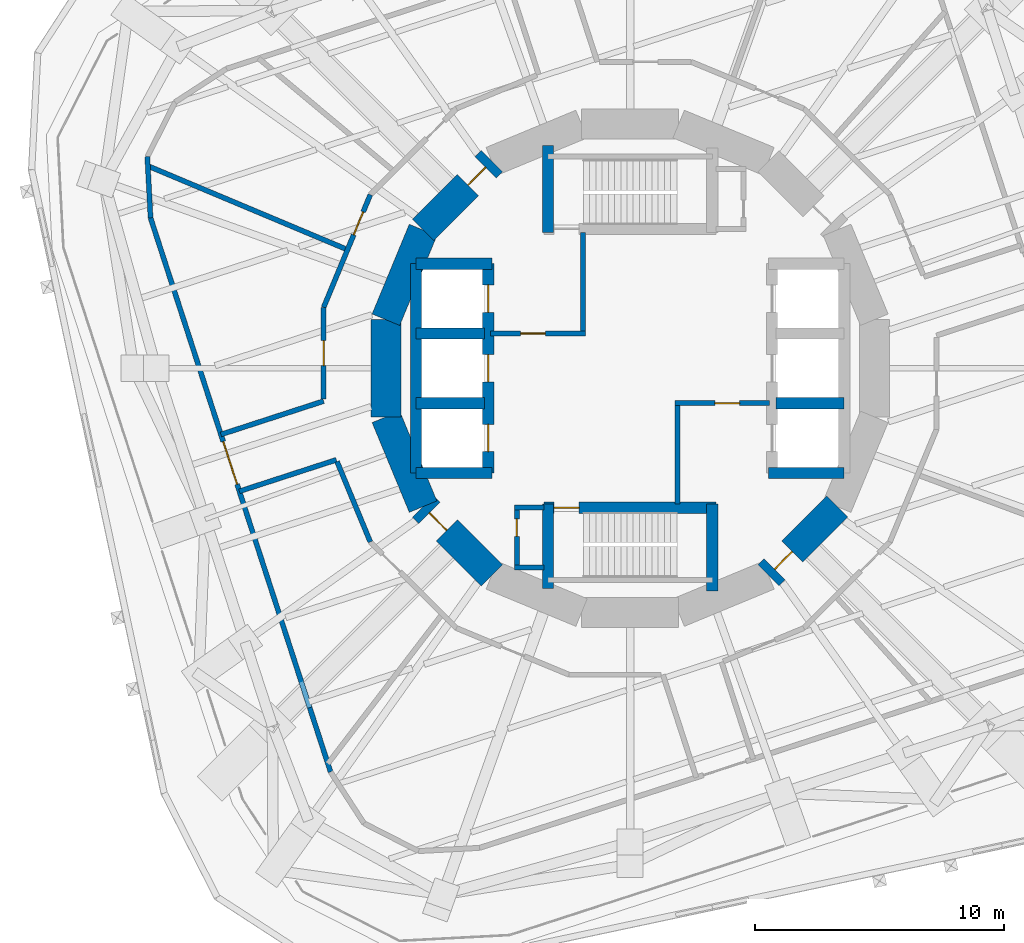
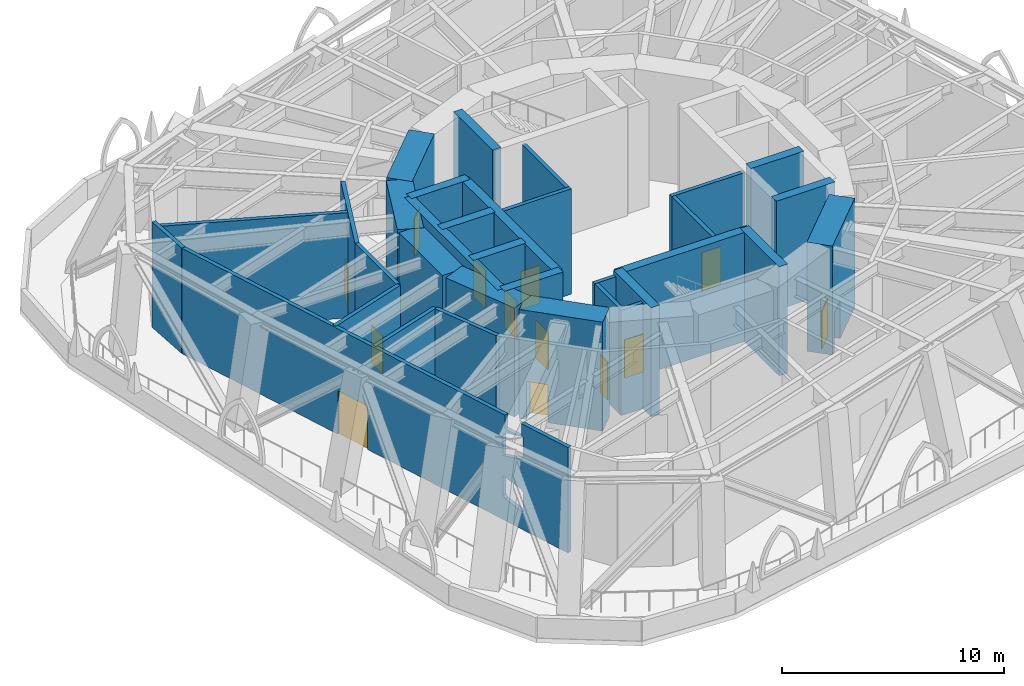
# One storey, part 5 of 11: 33 walls, 13 doors, 16 openings.
"""IFC4 building model written with IfcOpenShell, lengths in metres."""

from ifc_helpers import new_model, si_unit, direction, frame, frame_2d, origin, place, context, subcontext, project, spatial, polyline, rectangle, outline, extrude, material, layer, layer_set, type_object, element, fill, save


model = new_model("IFC4")

# Units and contexts
model_context = context("Model", 3, precision=1e-05, world=origin(), true_north=direction((0.0, 1.0)))
body_context = subcontext(model_context, "Body", "Model", "MODEL_VIEW")
ifc_project = project(units=[si_unit("LENGTHUNIT", "METRE"), si_unit("AREAUNIT", "SQUARE_METRE"), si_unit("VOLUMEUNIT", "CUBIC_METRE"), si_unit("PLANEANGLEUNIT", "RADIAN"), si_unit("MASSUNIT", "GRAM", prefix="KILO")], contexts=[model_context])

# Site, building, storey
site_placement = place(None, origin())
site = spatial("IfcSite", under=ifc_project, at=site_placement, CompositionType="ELEMENT")
building_placement = place(site_placement, origin())
building = spatial("IfcBuilding", under=site, at=building_placement, Name="Nakasero Lantern House", CompositionType="ELEMENT")
storey_placement = place(building_placement, frame((0.0, 0.0, 135.800048828125)))
storey = spatial("IfcBuildingStorey", under=building, at=storey_placement, Name="L33", CompositionType="ELEMENT", Elevation=135.800048828125)

# Wall, openings, doors
ifc_material_1 = material(Name="Concrete C50/60", Category="concrete")
ifc_layer_1 = layer(ifc_material_1, 0.449951171875)
ifc_layer_set_1 = layer_set([ifc_layer_1], Name="Core inner wall 450")
wall_type_1 = type_object("IfcWallType", Name="Core inner wall 450", PredefinedType="SHEAR", material=ifc_layer_set_1)
wall_1_placement = place(storey_placement, frame((-5.699951171875, -4.199951171875, 0.0), z_axis=(0.0, 0.0, 1.0), x_axis=(0.0, 1.0, 0.0)))
wall_1 = element("IfcWall", 1, at=wall_1_placement, inside=storey, type_object=wall_type_1, Name="Core inner wall L33 LW", PredefinedType="SHEAR", context=body_context, shape_type="SweptSolid", body=[
    extrude(rectangle(XDim=8.39990234375, YDim=0.449951171875, at=frame_2d((4.199951171875, 0.0))), origin(), (0.0, 0.0, 1.0), 6.0),
])
opening_1_placement = place(wall_1_placement, frame((0.85009765625, 0.0, 0.0)))
opening_1 = element("IfcOpeningElement", 2, at=opening_1_placement, cuts=wall_1, Name="Opening LD", PredefinedType="OPENING", context=body_context, shape_type="SweptSolid", body=[
    extrude(rectangle(XDim=1.10009765625, YDim=2.10009765625, at=frame_2d((0.550048828125, 1.050048828125))), frame((0.0, 0.244873046875, 0.0), z_axis=(0.0, -1.0, 0.0), x_axis=(1.0, 0.0, 0.0)), (0.0, 0.0, 1.0), 0.489990234375),
])
opening_2_placement = place(wall_1_placement, frame((3.64990234375, 0.0, 0.0)))
opening_2 = element("IfcOpeningElement", 3, at=opening_2_placement, cuts=wall_1, Name="Opening LD", PredefinedType="OPENING", context=body_context, shape_type="SweptSolid", body=[
    extrude(rectangle(XDim=1.10009765625, YDim=2.10009765625, at=frame_2d((0.550048828125, 1.050048828125))), frame((0.0, 0.244873046875, 0.0), z_axis=(0.0, -1.0, 0.0), x_axis=(1.0, 0.0, 0.0)), (0.0, 0.0, 1.0), 0.489990234375),
])
opening_3_placement = place(wall_1_placement, frame((6.449951171875, 0.0, 0.0)))
opening_3 = element("IfcOpeningElement", 4, at=opening_3_placement, cuts=wall_1, Name="Opening LD", PredefinedType="OPENING", context=body_context, shape_type="SweptSolid", body=[
    extrude(rectangle(XDim=1.10009765625, YDim=2.10009765625, at=frame_2d((0.550048828125, 1.050048828125))), frame((0.0, 0.244873046875, 0.0), z_axis=(0.0, -1.0, 0.0), x_axis=(1.0, 0.0, 0.0)), (0.0, 0.0, 1.0), 0.489990234375),
])
ifc_material_2 = material(Name="Steel S355", Category="steel")
door_type_1 = type_object("IfcDoorType", Name="Lift landing door E120 1100", OperationType="SLIDING_TO_LEFT", PredefinedType="DOOR", material=ifc_material_2)
door_1_placement = place(opening_1_placement, origin())
door_1 = element("IfcDoor", 5, at=door_1_placement, inside=storey, type_object=door_type_1, Name="Lift landing door LW1", OperationType="SLIDING_TO_LEFT", OverallHeight=2.10009765625, OverallWidth=1.10009765625, PredefinedType="DOOR", context=body_context, shape_type="SweptSolid", body=[
    extrude(rectangle(XDim=1.10009765625, YDim=2.10009765625, at=frame_2d((0.550048828125, 1.050048828125))), frame((0.0, 0.02490234375, 0.0), z_axis=(0.0, -1.0, 0.0), x_axis=(1.0, 0.0, 0.0)), (0.0, 0.0, 1.0), 0.050048828125),
])
fill(opening_1, door_1)
door_2_placement = place(opening_2_placement, origin())
door_2 = element("IfcDoor", 6, at=door_2_placement, inside=storey, type_object=door_type_1, Name="Lift landing door LW2", OperationType="SLIDING_TO_LEFT", OverallHeight=2.10009765625, OverallWidth=1.10009765625, PredefinedType="DOOR", context=body_context, shape_type="SweptSolid", body=[
    extrude(rectangle(XDim=1.10009765625, YDim=2.10009765625, at=frame_2d((0.550048828125, 1.050048828125))), frame((0.0, 0.02490234375, 0.0), z_axis=(0.0, -1.0, 0.0), x_axis=(1.0, 0.0, 0.0)), (0.0, 0.0, 1.0), 0.050048828125),
])
fill(opening_2, door_2)
door_3_placement = place(opening_3_placement, origin())
door_3 = element("IfcDoor", 7, at=door_3_placement, inside=storey, type_object=door_type_1, Name="Lift landing door LW3", OperationType="SLIDING_TO_LEFT", OverallHeight=2.10009765625, OverallWidth=1.10009765625, PredefinedType="DOOR", context=body_context, shape_type="SweptSolid", body=[
    extrude(rectangle(XDim=1.10009765625, YDim=2.10009765625, at=frame_2d((0.550048828125, 1.050048828125))), frame((0.0, 0.02490234375, 0.0), z_axis=(0.0, -1.0, 0.0), x_axis=(1.0, 0.0, 0.0)), (0.0, 0.0, 1.0), 0.050048828125),
])
fill(opening_3, door_3)

# Walls
for number, where, z_axis, x_axis, name in (
    (8, (-8.60009765625, 4.199951171875, 0.0), (0.0, 0.0, 1.0), (1.0, 0.0, 0.0), "Core inner wall L33 LWN"),
    (9, (-8.60009765625, -4.199951171875, 0.0), (0.0, 0.0, 1.0), (1.0, 0.0, 0.0), "Core inner wall L33 LWS"),
    (10, (5.550048828125, -4.199951171875, 0.0), (0.0, 0.0, 1.0), (1.0, 0.0, 0.0), "Core inner wall L33 LES"),
):
    element("IfcWall", number, at=place(storey_placement, frame(where, z_axis=z_axis, x_axis=x_axis)), inside=storey, type_object=wall_type_1, Name=name, PredefinedType="SHEAR", context=body_context, shape_type="SweptSolid", body=[
        extrude(rectangle(XDim=3.050048828125, YDim=0.449951171875, at=frame_2d((1.52490234375, 0.0))), origin(), (0.0, 0.0, 1.0), 6.0),
    ])
wall_2_placement = place(storey_placement, frame((-8.60009765625, -4.199951171875, 0.0), z_axis=(0.0, 0.0, 1.0), x_axis=(0.0, 1.0, 0.0)))
element("IfcWall", 11, at=wall_2_placement, inside=storey, type_object=wall_type_1, Name="Core inner wall L33 LWB", PredefinedType="SHEAR", context=body_context, shape_type="SweptSolid", body=[
    extrude(rectangle(XDim=8.39990234375, YDim=0.449951171875, at=frame_2d((4.199951171875, 0.0))), origin(), (0.0, 0.0, 1.0), 6.0),
])
for number, where, z_axis, x_axis, name in (
    (12, (-8.60009765625, -1.39990234375, 0.0), (0.0, 0.0, 1.0), (1.0, 0.0, 0.0), "Core inner wall L33 LW1"),
    (13, (-8.60009765625, 1.39990234375, 0.0), (0.0, 0.0, 1.0), (1.0, 0.0, 0.0), "Core inner wall L33 LW2"),
    (14, (5.85009765625, -1.39990234375, 0.0), (0.0, 0.0, 1.0), (1.0, 0.0, 0.0), "Core inner wall L33 LE1"),
):
    element("IfcWall", number, at=place(storey_placement, frame(where, z_axis=z_axis, x_axis=x_axis)), inside=storey, type_object=wall_type_1, Name=name, PredefinedType="SHEAR", context=body_context, shape_type="SweptSolid", body=[
        extrude(rectangle(XDim=2.75, YDim=0.449951171875, at=frame_2d((1.375, 0.0))), origin(), (0.0, 0.0, 1.0), 6.0),
    ])
wall_3_placement = place(storey_placement, frame((-3.300048828125, 5.449951171875, 0.0), z_axis=(0.0, 0.0, 1.0), x_axis=(0.0, 1.0, 0.0)))
element("IfcWall", 15, at=wall_3_placement, inside=storey, type_object=wall_type_1, Name="Core inner wall L33 SNW", PredefinedType="SHEAR", context=body_context, shape_type="SweptSolid", body=[
    extrude(rectangle(XDim=3.5, YDim=0.449951171875, at=frame_2d((1.75, 0.0))), origin(), (0.0, 0.0, 1.0), 6.0),
])

# Wall, opening, door
wall_4_placement = place(storey_placement, frame((-3.449951171875, -5.60009765625, 0.0), z_axis=(0.0, 0.0, 1.0), x_axis=(1.0, 0.0, 0.0)))
wall_4 = element("IfcWall", 16, at=wall_4_placement, inside=storey, type_object=wall_type_1, Name="Core inner wall L33 SS", PredefinedType="SHEAR", context=body_context, shape_type="SweptSolid", body=[
    extrude(rectangle(XDim=6.89990234375, YDim=0.449951171875, at=frame_2d((3.449951171875, 0.0))), origin(), (0.0, 0.0, 1.0), 6.0),
])
opening_4_placement = place(wall_4_placement, frame((0.39990234375, 0.0, 0.0)))
opening_4 = element("IfcOpeningElement", 17, at=opening_4_placement, cuts=wall_4, Name="Opening D05", PredefinedType="OPENING", context=body_context, shape_type="SweptSolid", body=[
    extrude(rectangle(XDim=1.0, YDim=2.10009765625, at=frame_2d((0.5, 1.050048828125))), frame((0.0, 0.244873046875, 0.0), z_axis=(0.0, -1.0, 0.0), x_axis=(1.0, 0.0, 0.0)), (0.0, 0.0, 1.0), 0.489990234375),
])
ifc_material_3 = material(Name="Timber C24", Category="wood")
door_type_2 = type_object("IfcDoorType", Name="Core door FD60S 1000", OperationType="SINGLE_SWING_LEFT", PredefinedType="DOOR", material=ifc_material_3)
door_4_placement = place(opening_4_placement, origin())
door_4 = element("IfcDoor", 18, at=door_4_placement, inside=storey, type_object=door_type_2, Name="Door L33 D-ST2", OperationType="SINGLE_SWING_LEFT", OverallHeight=2.10009765625, OverallWidth=1.0, PredefinedType="DOOR", context=body_context, shape_type="SweptSolid", body=[
    extrude(rectangle(XDim=1.0, YDim=2.10009765625, at=frame_2d((0.5, 1.050048828125))), frame((0.0, 0.02490234375, 0.0), z_axis=(0.0, -1.0, 0.0), x_axis=(1.0, 0.0, 0.0)), (0.0, 0.0, 1.0), 0.050048828125),
])
fill(opening_4, door_4)

# Walls
wall_5_placement = place(storey_placement, frame((-3.300048828125, -5.449951171875, 0.0), z_axis=(0.0, 0.0, 1.0), x_axis=(0.0, -1.0, 0.0)))
element("IfcWall", 19, at=wall_5_placement, inside=storey, type_object=wall_type_1, Name="Core inner wall L33 SSW", PredefinedType="SHEAR", context=body_context, shape_type="SweptSolid", body=[
    extrude(rectangle(XDim=3.400146484375, YDim=0.449951171875, at=frame_2d((1.7001953125, 0.0))), origin(), (0.0, 0.0, 1.0), 6.0),
])
wall_6_placement = place(storey_placement, frame((3.300048828125, -5.449951171875, 0.0), z_axis=(0.0, 0.0, 1.0), x_axis=(0.0, -1.0, 0.0)))
element("IfcWall", 20, at=wall_6_placement, inside=storey, type_object=wall_type_1, Name="Core inner wall L33 SSE", PredefinedType="SHEAR", context=body_context, shape_type="SweptSolid", body=[
    extrude(rectangle(XDim=3.5, YDim=0.449951171875, at=frame_2d((1.75, 0.0))), origin(), (0.0, 0.0, 1.0), 6.0),
])

# Wall, opening, door
ifc_material_4 = material(Name="Concrete C50/60", Category="concrete")
ifc_layer_2 = layer(ifc_material_4, 1.199951171875)
ifc_layer_set_2 = layer_set([ifc_layer_2], Name="Core wall 1200")
wall_type_2 = type_object("IfcWallType", Name="Core wall 1200", PredefinedType="SHEAR", material=ifc_layer_set_2)
wall_7_placement = place(storey_placement, frame((-5.5556640625, 8.314697265625, 0.0), z_axis=(0.0, 0.0, 1.0), x_axis=(-0.707106781187, -0.707106781187, 0.0)))
wall_7 = element("IfcWall", 21, at=wall_7_placement, inside=storey, type_object=wall_type_2, Name="Core wall L33 facet 6", PredefinedType="SHEAR", context=body_context, shape_type="SweptSolid", body=[
    extrude(rectangle(XDim=3.90185546875, YDim=1.199951171875, at=frame_2d((1.950927734375, 0.0))), origin(), (0.0, 0.0, 1.0), 6.0),
])
opening_5_placement = place(wall_7_placement, frame((0.35009765625, 0.0, 0.0)))
opening_5 = element("IfcOpeningElement", 22, at=opening_5_placement, cuts=wall_7, Name="Opening D05", PredefinedType="OPENING", context=body_context, shape_type="SweptSolid", body=[
    extrude(rectangle(XDim=1.0, YDim=2.10009765625, at=frame_2d((0.5, 1.050048828125))), frame((0.0, 0.619873046875, 0.0), z_axis=(0.0, -1.0, 0.0), x_axis=(1.0, 0.0, 0.0)), (0.0, 0.0, 1.0), 1.239990234375),
])
door_5_placement = place(opening_5_placement, origin())
door_5 = element("IfcDoor", 23, at=door_5_placement, inside=storey, type_object=door_type_2, Name="Door L33 D-CORE06", OperationType="SINGLE_SWING_LEFT", OverallHeight=2.10009765625, OverallWidth=1.0, PredefinedType="DOOR", context=body_context, shape_type="SweptSolid", body=[
    extrude(rectangle(XDim=1.0, YDim=2.10009765625, at=frame_2d((0.5, 1.050048828125))), frame((0.0, 0.02490234375, 0.0), z_axis=(0.0, -1.0, 0.0), x_axis=(1.0, 0.0, 0.0)), (0.0, 0.0, 1.0), 0.050048828125),
])
fill(opening_5, door_5)

# Walls
for number, where, z_axis, x_axis, name in (
    (24, (-8.314697265625, 5.5556640625, 0.0), (0.0, 0.0, 1.0), (-0.382690736062, -0.923876507187, 0.0), "Core wall L33 facet 7"),
    (25, (-9.807861328125, 1.950927734375, 0.0), (0.0, 0.0, 1.0), (0.0, -1.0, 0.0), "Core wall L33 facet 8"),
    (26, (-9.807861328125, -1.950927734375, 0.0), (0.0, 0.0, 1.0), (0.382690736062, -0.923876507187, 0.0), "Core wall L33 facet 9"),
):
    element("IfcWall", number, at=place(storey_placement, frame(where, z_axis=z_axis, x_axis=x_axis)), inside=storey, type_object=wall_type_2, Name=name, PredefinedType="SHEAR", context=body_context, shape_type="SweptSolid", body=[
        extrude(rectangle(XDim=3.90185546875, YDim=1.199951171875, at=frame_2d((1.950927734375, 0.0))), origin(), (0.0, 0.0, 1.0), 6.0),
    ])

# Wall, opening, door
wall_8_placement = place(storey_placement, frame((-8.314697265625, -5.5556640625, 0.0), z_axis=(0.0, 0.0, 1.0), x_axis=(0.707106781187, -0.707106781187, 0.0)))
wall_8 = element("IfcWall", 27, at=wall_8_placement, inside=storey, type_object=wall_type_2, Name="Core wall L33 facet 10", PredefinedType="SHEAR", context=body_context, shape_type="SweptSolid", body=[
    extrude(rectangle(XDim=3.90185546875, YDim=1.199951171875, at=frame_2d((1.950927734375, 0.0))), origin(), (0.0, 0.0, 1.0), 6.0),
])
opening_6_placement = place(wall_8_placement, frame((0.35009765625, 0.0, 0.0)))
opening_6 = element("IfcOpeningElement", 28, at=opening_6_placement, cuts=wall_8, Name="Opening D05", PredefinedType="OPENING", context=body_context, shape_type="SweptSolid", body=[
    extrude(rectangle(XDim=1.0, YDim=2.10009765625, at=frame_2d((0.5, 1.050048828125))), frame((0.0, 0.619873046875, 0.0), z_axis=(0.0, -1.0, 0.0), x_axis=(1.0, 0.0, 0.0)), (0.0, 0.0, 1.0), 1.239990234375),
])
door_6_placement = place(opening_6_placement, origin())
door_6 = element("IfcDoor", 29, at=door_6_placement, inside=storey, type_object=door_type_2, Name="Door L33 D-CORE10", OperationType="SINGLE_SWING_LEFT", OverallHeight=2.10009765625, OverallWidth=1.0, PredefinedType="DOOR", context=body_context, shape_type="SweptSolid", body=[
    extrude(rectangle(XDim=1.0, YDim=2.10009765625, at=frame_2d((0.5, 1.050048828125))), frame((0.0, 0.02490234375, 0.0), z_axis=(0.0, -1.0, 0.0), x_axis=(1.0, 0.0, 0.0)), (0.0, 0.0, 1.0), 0.050048828125),
])
fill(opening_6, door_6)

wall_9_placement = place(storey_placement, frame((5.5556640625, -8.314697265625, 0.0), z_axis=(0.0, 0.0, 1.0), x_axis=(0.707106781187, 0.707106781187, 0.0)))
wall_9 = element("IfcWall", 30, at=wall_9_placement, inside=storey, type_object=wall_type_2, Name="Core wall L33 facet 14", PredefinedType="SHEAR", context=body_context, shape_type="SweptSolid", body=[
    extrude(rectangle(XDim=3.90185546875, YDim=1.199951171875, at=frame_2d((1.950927734375, 0.0))), origin(), (0.0, 0.0, 1.0), 6.0),
])
opening_7_placement = place(wall_9_placement, frame((0.35009765625, 0.0, 0.0)))
opening_7 = element("IfcOpeningElement", 31, at=opening_7_placement, cuts=wall_9, Name="Opening D05", PredefinedType="OPENING", context=body_context, shape_type="SweptSolid", body=[
    extrude(rectangle(XDim=1.0, YDim=2.10009765625, at=frame_2d((0.5, 1.050048828125))), frame((0.0, 0.619873046875, 0.0), z_axis=(0.0, -1.0, 0.0), x_axis=(1.0, 0.0, 0.0)), (0.0, 0.0, 1.0), 1.239990234375),
])
door_7_placement = place(opening_7_placement, origin())
door_7 = element("IfcDoor", 32, at=door_7_placement, inside=storey, type_object=door_type_2, Name="Door L33 D-CORE14", OperationType="SINGLE_SWING_LEFT", OverallHeight=2.10009765625, OverallWidth=1.0, PredefinedType="DOOR", context=body_context, shape_type="SweptSolid", body=[
    extrude(rectangle(XDim=1.0, YDim=2.10009765625, at=frame_2d((0.5, 1.050048828125))), frame((0.0, 0.02490234375, 0.0), z_axis=(0.0, -1.0, 0.0), x_axis=(1.0, 0.0, 0.0)), (0.0, 0.0, 1.0), 0.050048828125),
])
fill(opening_7, door_7)

# Wall
ifc_material_5 = material(Name="Blockwork", Category="masonry")
ifc_layer_3 = layer(ifc_material_5, 0.199951171875)
ifc_layer_set_3 = layer_set([ifc_layer_3], Name="Corridor wall 200")
wall_type_3 = type_object("IfcWallType", Name="Corridor wall 200", PredefinedType="PARTITIONING", material=ifc_layer_set_3)
wall_10_placement = place(storey_placement, frame((-10.43408203125, -6.971923828125, 0.0), z_axis=(0.0, 0.0, 1.0), x_axis=(-0.382693443853, 0.923875385554, 0.0)))
element("IfcWall", 33, at=wall_10_placement, inside=storey, type_object=wall_type_3, Name="Corridor wall L33 TC07", PredefinedType="PARTITIONING", context=body_context, shape_type="SweptSolid", body=[
    extrude(rectangle(XDim=3.4921875, YDim=0.199951171875, at=frame_2d((1.74609375, 0.0))), origin(), (0.0, 0.0, 1.0), 5.800048828125),
])

# Wall, opening, door
wall_11_placement = place(storey_placement, frame((-12.307861328125, -1.239013671875, 0.0), z_axis=(0.0, 0.0, 1.0), x_axis=(0.0, 1.0, 0.0)))
wall_11 = element("IfcWall", 34, at=wall_11_placement, inside=storey, type_object=wall_type_3, Name="Corridor wall L33 TC08", PredefinedType="PARTITIONING", context=body_context, shape_type="SweptSolid", body=[
    extrude(rectangle(XDim=3.687255859375, YDim=0.199951171875, at=frame_2d((1.84375, 0.0))), origin(), (0.0, 0.0, 1.0), 5.800048828125),
])
opening_8_placement = place(wall_11_placement, frame((1.35009765625, 0.0, 0.0)))
opening_8 = element("IfcOpeningElement", 35, at=opening_8_placement, cuts=wall_11, Name="Opening D13", PredefinedType="OPENING", context=body_context, shape_type="SweptSolid", body=[
    extrude(rectangle(XDim=1.0, YDim=2.10009765625, at=frame_2d((0.5, 1.050048828125))), frame((0.0, 0.119873046875, 0.0), z_axis=(0.0, -1.0, 0.0), x_axis=(1.0, 0.0, 0.0)), (0.0, 0.0, 1.0), 0.239990234375),
])
ifc_material_6 = material(Name="Steel S355", Category="steel")
door_type_3 = type_object("IfcDoorType", Name="Plant room door FD60 1000", OperationType="SINGLE_SWING_LEFT", PredefinedType="DOOR", material=ifc_material_6)
door_8_placement = place(opening_8_placement, origin())
door_8 = element("IfcDoor", 36, at=door_8_placement, inside=storey, type_object=door_type_3, Name="Door L33 TDR12", OperationType="SINGLE_SWING_RIGHT", OverallHeight=2.10009765625, OverallWidth=1.0, PredefinedType="DOOR", context=body_context, shape_type="SweptSolid", body=[
    extrude(rectangle(XDim=1.0, YDim=2.10009765625, at=frame_2d((0.5, 1.050048828125))), frame((0.0, 0.02490234375, 0.0), z_axis=(0.0, -1.0, 0.0), x_axis=(1.0, 0.0, 0.0)), (0.0, 0.0, 1.0), 0.050048828125),
])
fill(opening_8, door_8)

wall_12_placement = place(storey_placement, frame((-12.307861328125, 2.4482421875, 0.0), z_axis=(0.0, 0.0, 1.0), x_axis=(0.382685002919, 0.923878881965, 0.0)))
wall_12 = element("IfcWall", 37, at=wall_12_placement, inside=storey, type_object=wall_type_3, Name="Corridor wall L33 TC09", PredefinedType="PARTITIONING", context=body_context, shape_type="SweptSolid", body=[
    extrude(rectangle(XDim=4.896484375, YDim=0.199951171875, at=frame_2d((2.4482421875, 0.0))), origin(), (0.0, 0.0, 1.0), 5.800048828125),
])
opening_9_placement = place(wall_12_placement, frame((3.14990234375, 0.0, 0.0)))
opening_9 = element("IfcOpeningElement", 38, at=opening_9_placement, cuts=wall_12, Name="Opening D13", PredefinedType="OPENING", context=body_context, shape_type="SweptSolid", body=[
    extrude(rectangle(XDim=1.0, YDim=2.10009765625, at=frame_2d((0.5, 1.050048828125))), frame((0.0, 0.119873046875, 0.0), z_axis=(0.0, -1.0, 0.0), x_axis=(1.0, 0.0, 0.0)), (0.0, 0.0, 1.0), 0.239990234375),
])
door_9_placement = place(opening_9_placement, origin())
door_9 = element("IfcDoor", 39, at=door_9_placement, inside=storey, type_object=door_type_3, Name="Door L33 TDR11", OperationType="SINGLE_SWING_RIGHT", OverallHeight=2.10009765625, OverallWidth=1.0, PredefinedType="DOOR", context=body_context, shape_type="SweptSolid", body=[
    extrude(rectangle(XDim=1.0, YDim=2.10009765625, at=frame_2d((0.5, 1.050048828125))), frame((0.0, 0.02490234375, 0.0), z_axis=(0.0, -1.0, 0.0), x_axis=(1.0, 0.0, 0.0)), (0.0, 0.0, 1.0), 0.050048828125),
])
fill(opening_9, door_9)

ifc_material_7 = material(Name="Blockwork", Category="masonry")
ifc_layer_4 = layer(ifc_material_7, 0.199951171875)
ifc_layer_set_4 = layer_set([ifc_layer_4], Name="Fire lobby wall 200")
wall_type_4 = type_object("IfcWallType", Name="Fire lobby wall 200", PredefinedType="PARTITIONING", material=ifc_layer_set_4)
wall_13_placement = place(storey_placement, frame((-5.60009765625, 1.39990234375, 0.0), z_axis=(0.0, 0.0, 1.0), x_axis=(1.0, 0.0, 0.0)))
wall_13 = element("IfcWall", 40, at=wall_13_placement, inside=storey, type_object=wall_type_4, Name="Fire lobby wall L33 W-FL1S", PredefinedType="PARTITIONING", context=body_context, shape_type="SweptSolid", body=[
    extrude(rectangle(XDim=3.800048828125, YDim=0.199951171875, at=frame_2d((1.89990234375, 0.0))), origin(), (0.0, 0.0, 1.0), 5.800048828125),
])
opening_10_placement = place(wall_13_placement, frame((1.199951171875, 0.0, 0.0)))
opening_10 = element("IfcOpeningElement", 41, at=opening_10_placement, cuts=wall_13, Name="Opening D05", PredefinedType="OPENING", context=body_context, shape_type="SweptSolid", body=[
    extrude(rectangle(XDim=1.0, YDim=2.10009765625, at=frame_2d((0.5, 1.050048828125))), frame((0.0, 0.119873046875, 0.0), z_axis=(0.0, -1.0, 0.0), x_axis=(1.0, 0.0, 0.0)), (0.0, 0.0, 1.0), 0.239990234375),
])
door_10_placement = place(opening_10_placement, origin())
door_10 = element("IfcDoor", 42, at=door_10_placement, inside=storey, type_object=door_type_2, Name="Door L33 D-FL1", OperationType="SINGLE_SWING_LEFT", OverallHeight=2.10009765625, OverallWidth=1.0, PredefinedType="DOOR", context=body_context, shape_type="SweptSolid", body=[
    extrude(rectangle(XDim=1.0, YDim=2.10009765625, at=frame_2d((0.5, 1.050048828125))), frame((0.0, 0.02490234375, 0.0), z_axis=(0.0, -1.0, 0.0), x_axis=(1.0, 0.0, 0.0)), (0.0, 0.0, 1.0), 0.050048828125),
])
fill(opening_10, door_10)

# Wall
wall_14_placement = place(storey_placement, frame((-1.89990234375, 1.5, 0.0), z_axis=(0.0, 0.0, 1.0), x_axis=(0.0, 1.0, 0.0)))
element("IfcWall", 43, at=wall_14_placement, inside=storey, type_object=wall_type_4, Name="Fire lobby wall L33 W-FL1E", PredefinedType="PARTITIONING", context=body_context, shape_type="SweptSolid", body=[
    extrude(rectangle(XDim=3.949951171875, YDim=0.199951171875, at=frame_2d((1.97509765625, 0.0))), origin(), (0.0, 0.0, 1.0), 5.800048828125),
])

# Wall, opening, door
wall_15_placement = place(storey_placement, frame((5.60009765625, -1.39990234375, 0.0), z_axis=(0.0, 0.0, 1.0), x_axis=(-1.0, 0.0, 0.0)))
wall_15 = element("IfcWall", 44, at=wall_15_placement, inside=storey, type_object=wall_type_4, Name="Fire lobby wall L33 W-FL2N", PredefinedType="PARTITIONING", context=body_context, shape_type="SweptSolid", body=[
    extrude(rectangle(XDim=3.800048828125, YDim=0.199951171875, at=frame_2d((1.89990234375, 0.0))), origin(), (0.0, 0.0, 1.0), 5.800048828125),
])
opening_11_placement = place(wall_15_placement, frame((1.199951171875, 0.0, 0.0)))
opening_11 = element("IfcOpeningElement", 45, at=opening_11_placement, cuts=wall_15, Name="Opening D05", PredefinedType="OPENING", context=body_context, shape_type="SweptSolid", body=[
    extrude(rectangle(XDim=1.0, YDim=2.10009765625, at=frame_2d((0.5, 1.050048828125))), frame((0.0, 0.119873046875, 0.0), z_axis=(0.0, -1.0, 0.0), x_axis=(1.0, 0.0, 0.0)), (0.0, 0.0, 1.0), 0.239990234375),
])
door_11_placement = place(opening_11_placement, origin())
door_11 = element("IfcDoor", 46, at=door_11_placement, inside=storey, type_object=door_type_2, Name="Door L33 D-FL2", OperationType="SINGLE_SWING_LEFT", OverallHeight=2.10009765625, OverallWidth=1.0, PredefinedType="DOOR", context=body_context, shape_type="SweptSolid", body=[
    extrude(rectangle(XDim=1.0, YDim=2.10009765625, at=frame_2d((0.5, 1.050048828125))), frame((0.0, 0.02490234375, 0.0), z_axis=(0.0, -1.0, 0.0), x_axis=(1.0, 0.0, 0.0)), (0.0, 0.0, 1.0), 0.050048828125),
])
fill(opening_11, door_11)

# Wall
wall_16_placement = place(storey_placement, frame((1.89990234375, -1.5, 0.0), z_axis=(0.0, 0.0, 1.0), x_axis=(0.0, -1.0, 0.0)))
element("IfcWall", 47, at=wall_16_placement, inside=storey, type_object=wall_type_4, Name="Fire lobby wall L33 W-FL2W", PredefinedType="PARTITIONING", context=body_context, shape_type="SweptSolid", body=[
    extrude(rectangle(XDim=3.949951171875, YDim=0.199951171875, at=frame_2d((1.97509765625, 0.0))), origin(), (0.0, 0.0, 1.0), 5.800048828125),
])

# Wall, opening, door
wall_17_placement = place(storey_placement, frame((-4.550048828125, -5.60009765625, 0.0), z_axis=(0.0, 0.0, 1.0), x_axis=(0.0, -1.0, 0.0)))
wall_17 = element("IfcWall", 48, at=wall_17_placement, inside=storey, type_object=wall_type_4, Name="Fire lobby wall L33 W-RS2W", PredefinedType="PARTITIONING", context=body_context, shape_type="SweptSolid", body=[
    extrude(rectangle(XDim=2.39990234375, YDim=0.199951171875, at=frame_2d((1.199951171875, 0.0))), origin(), (0.0, 0.0, 1.0), 5.800048828125),
])
opening_12_placement = place(wall_17_placement, frame((0.449951171875, 0.0, 0.0)))
opening_12 = element("IfcOpeningElement", 49, at=opening_12_placement, cuts=wall_17, Name="Opening D06", PredefinedType="OPENING", context=body_context, shape_type="SweptSolid", body=[
    extrude(rectangle(XDim=0.699951171875, YDim=2.10009765625, at=frame_2d((0.35009765625, 1.050048828125))), frame((0.0, 0.119873046875, 0.0), z_axis=(0.0, -1.0, 0.0), x_axis=(1.0, 0.0, 0.0)), (0.0, 0.0, 1.0), 0.239990234375),
])
ifc_material_8 = material(Name="Steel S355", Category="steel")
door_type_4 = type_object("IfcDoorType", Name="Riser door FD60 700", OperationType="SINGLE_SWING_LEFT", PredefinedType="DOOR", material=ifc_material_8)
door_12_placement = place(opening_12_placement, origin())
door_12 = element("IfcDoor", 50, at=door_12_placement, inside=storey, type_object=door_type_4, Name="Door L33 D-RS2", OperationType="SINGLE_SWING_LEFT", OverallHeight=2.10009765625, OverallWidth=0.699951171875, PredefinedType="DOOR", context=body_context, shape_type="SweptSolid", body=[
    extrude(rectangle(XDim=0.699951171875, YDim=2.10009765625, at=frame_2d((0.35009765625, 1.050048828125))), frame((0.0, 0.02490234375, 0.0), z_axis=(0.0, -1.0, 0.0), x_axis=(1.0, 0.0, 0.0)), (0.0, 0.0, 1.0), 0.050048828125),
])
fill(opening_12, door_12)

# Walls
for number, where, z_axis, x_axis, name in (
    (51, (-3.449951171875, -8.0, 0.0), (0.0, 0.0, 1.0), (-1.0, 0.0, 0.0), "Fire lobby wall L33 W-RS2S"),
    (52, (-3.449951171875, -5.60009765625, 0.0), (0.0, 0.0, 1.0), (-1.0, 0.0, 0.0), "Fire lobby wall L33 W-RS2N"),
):
    element("IfcWall", number, at=place(storey_placement, frame(where, z_axis=z_axis, x_axis=x_axis)), inside=storey, type_object=wall_type_4, Name=name, PredefinedType="PARTITIONING", context=body_context, shape_type="SweptSolid", body=[
        extrude(rectangle(XDim=1.199951171875, YDim=0.199951171875, at=frame_2d((0.60009765625, 0.0))), origin(), (0.0, 0.0, 1.0), 5.800048828125),
    ])
wall_18_placement = place(storey_placement, frame((-11.34912109375, 4.7626953125, 0.0), z_axis=(0.0, 0.0, 1.0), x_axis=(-0.922100710902, 0.386949969575, 0.0)))
element("IfcWall", 53, at=wall_18_placement, inside=storey, type_object=wall_type_4, Name="Fire lobby wall L33 TD11", PredefinedType="PARTITIONING", context=body_context, shape_type="SweptSolid", body=[
    extrude(rectangle(XDim=8.697998046875, YDim=0.199951171875, at=frame_2d((4.34912109375, 0.0))), origin(), (0.0, 0.0, 1.0), 5.800048828125),
])
wall_19_placement = place(storey_placement, frame((-11.79931640625, -3.676025390625, 0.0), z_axis=(0.0, 0.0, 1.0), x_axis=(-0.951048535958, -0.309041554248, 0.0)))
element("IfcWall", 54, at=wall_19_placement, inside=storey, type_object=wall_type_4, Name="Fire lobby wall L33 TP2L", PredefinedType="PARTITIONING", context=body_context, shape_type="SweptSolid", body=[
    extrude(rectangle(XDim=4.092041015625, YDim=0.199951171875, at=frame_2d((2.0458984375, 0.0))), origin(), (0.0, 0.0, 1.0), 5.800048828125),
])
wall_20_placement = place(storey_placement, frame((-12.307861328125, -1.31787109375, 0.0), z_axis=(0.0, 0.0, 1.0), x_axis=(-0.951053922139, -0.309024978252, 0.0)))
element("IfcWall", 55, at=wall_20_placement, inside=storey, type_object=wall_type_4, Name="Fire lobby wall L33 TP2R", PredefinedType="PARTITIONING", context=body_context, shape_type="SweptSolid", body=[
    extrude(rectangle(XDim=4.33740234375, YDim=0.199951171875, at=frame_2d((2.168701171875, 0.0))), origin(), (0.0, 0.0, 1.0), 5.800048828125),
])
ifc_material_9 = material(Name="Aluminium louvre on blockwork", Category="masonry")
ifc_layer_5 = layer(ifc_material_9, 0.199951171875)
ifc_layer_set_5 = layer_set([ifc_layer_5], Name="Plant enclosure wall 200")
wall_type_5 = type_object("IfcWallType", Name="Plant enclosure wall 200", PredefinedType="SOLIDWALL", material=ifc_layer_set_5)
wall_21_placement = place(storey_placement, frame((-19.38916015625, 8.49951171875, 0.0), z_axis=(0.0, 0.0, 1.0), x_axis=(0.052324327496, -0.998630144123, 0.0)))
element("IfcWall", 56, at=wall_21_placement, inside=storey, type_object=wall_type_5, Name="Plant enclosure wall L33 EN1C3", PredefinedType="SOLIDWALL", context=body_context, shape_type="SweptSolid", body=[
    extrude(rectangle(XDim=2.458984375, YDim=0.199951171875, at=frame_2d((1.2294921875, 0.0))), origin(), (0.0, 0.0, 1.0), 5.800048828125),
])

# Wall, openings, door
wall_22_placement = place(storey_placement, frame((-19.260498046875, 6.0439453125, 0.0), z_axis=(0.0, 0.0, 1.0), x_axis=(0.30902591324, -0.951053618334, 0.0)))
wall_22 = element("IfcWall", 57, at=wall_22_placement, inside=storey, type_object=wall_type_5, Name="Plant enclosure wall L33 2", PredefinedType="SOLIDWALL", context=body_context, shape_type="SweptSolid", body=[
    extrude(rectangle(XDim=23.39990234375, YDim=0.199951171875, at=frame_2d((11.699951171875, 0.0))), origin(), (0.0, 0.0, 1.0), 5.800048828125),
])
opening_13_placement = place(wall_22_placement, frame((9.449951171875, 0.0, 0.0)))
opening_13 = element("IfcOpeningElement", 58, at=opening_13_placement, cuts=wall_22, Name="Opening D11", PredefinedType="OPENING", context=body_context, shape_type="SweptSolid", body=[
    extrude(rectangle(XDim=1.800048828125, YDim=2.39990234375, at=frame_2d((0.89990234375, 1.199951171875))), frame((0.0, 0.119873046875, 0.0), z_axis=(0.0, -1.0, 0.0), x_axis=(1.0, 0.0, 0.0)), (0.0, 0.0, 1.0), 0.239990234375),
])
opening_14_placement = place(wall_22_placement, origin())
element("IfcOpeningElement", 59, at=opening_14_placement, cuts=wall_22, Name="Penetration L33/EN2S/PEN0", PredefinedType="OPENING", context=body_context, shape_type="SweptSolid", body=[
    extrude(outline(polyline([(19.4755859375, 1.329833984375), (19.602294921875, 1.199462890625), (20.687744140625, 0.96923828125), (20.687744140625, 2.044677734375), (20.56103515625, 2.175048828125), (19.4755859375, 2.4052734375), (19.4755859375, 1.329833984375)])), frame((0.0, 0.119873046875, 0.0), z_axis=(0.0, -1.0, 0.0), x_axis=(1.0, 0.0, 0.0)), (0.0, 0.0, 1.0), 0.239990234375),
])
opening_15_placement = place(wall_22_placement, origin())
element("IfcOpeningElement", 60, at=opening_15_placement, cuts=wall_22, Name="Penetration L33/EN2S/PEN1", PredefinedType="OPENING", context=body_context, shape_type="SweptSolid", body=[
    extrude(outline(polyline([(20.687744140625, 3.987060546875), (20.687744140625, 4.671142578125), (19.4853515625, 4.671142578125), (19.4755859375, 4.658203125), (19.4755859375, 3.522216796875), (20.565673828125, 3.823486328125), (20.687744140625, 3.987060546875)])), frame((0.0, 0.119873046875, 0.0), z_axis=(0.0, -1.0, 0.0), x_axis=(1.0, 0.0, 0.0)), (0.0, 0.0, 1.0), 0.239990234375),
])
opening_16_placement = place(wall_22_placement, origin())
element("IfcOpeningElement", 61, at=opening_16_placement, cuts=wall_22, Name="Penetration L33/EN2S/PEN2", PredefinedType="OPENING", context=body_context, shape_type="SweptSolid", body=[
    extrude(outline(polyline([(19.587890625, 5.050048828125), (20.423095703125, 5.050048828125), (19.59765625, 4.82177734375), (19.4755859375, 4.658203125), (19.4755859375, 4.651123046875), (20.687744140625, 4.651123046875), (20.687744140625, 5.123046875), (20.575439453125, 5.092041015625), (20.575439453125, 5.800048828125), (19.587890625, 5.800048828125), (19.587890625, 5.050048828125)])), frame((0.0, 0.119873046875, 0.0), z_axis=(0.0, -1.0, 0.0), x_axis=(1.0, 0.0, 0.0)), (0.0, 0.0, 1.0), 0.239990234375),
])
ifc_material_10 = material(Name="Steel S355", Category="steel")
door_type_5 = type_object("IfcDoorType", Name="Plant room doors 1800x2400", OperationType="DOUBLE_DOOR_SINGLE_SWING", PredefinedType="DOOR", material=ifc_material_10)
door_13_placement = place(opening_13_placement, origin())
door_13 = element("IfcDoor", 62, at=door_13_placement, inside=storey, type_object=door_type_5, Name="Refuge door L33 2", OperationType="DOUBLE_DOOR_SINGLE_SWING", OverallHeight=2.39990234375, OverallWidth=1.800048828125, PredefinedType="DOOR", context=body_context, shape_type="SweptSolid", body=[
    extrude(rectangle(XDim=1.800048828125, YDim=2.39990234375, at=frame_2d((0.89990234375, 1.199951171875))), frame((0.0, 0.02490234375, 0.0), z_axis=(0.0, -1.0, 0.0), x_axis=(1.0, 0.0, 0.0)), (0.0, 0.0, 1.0), 0.050048828125),
])
fill(opening_13, door_13)

save(model, "model.ifc")
